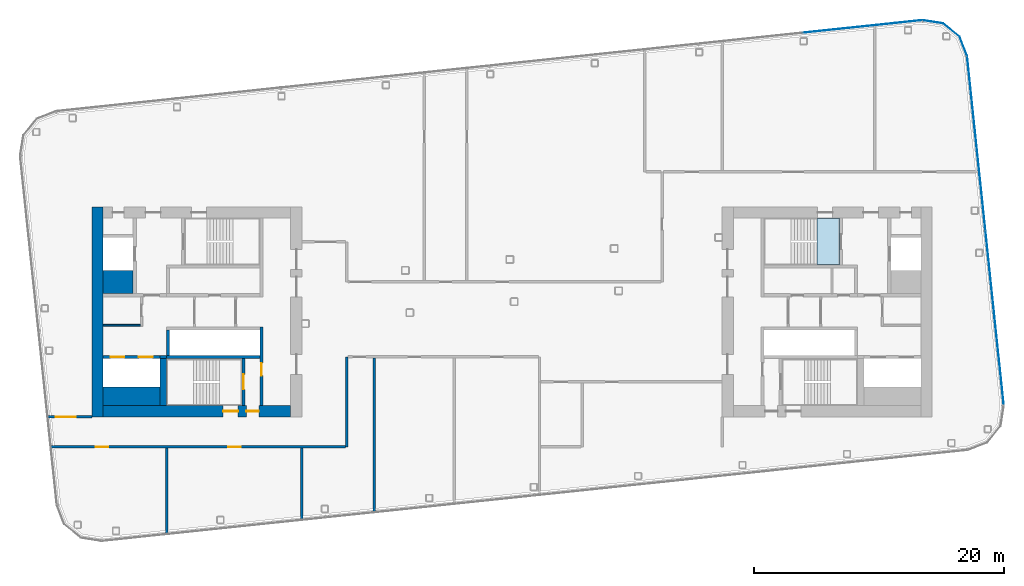
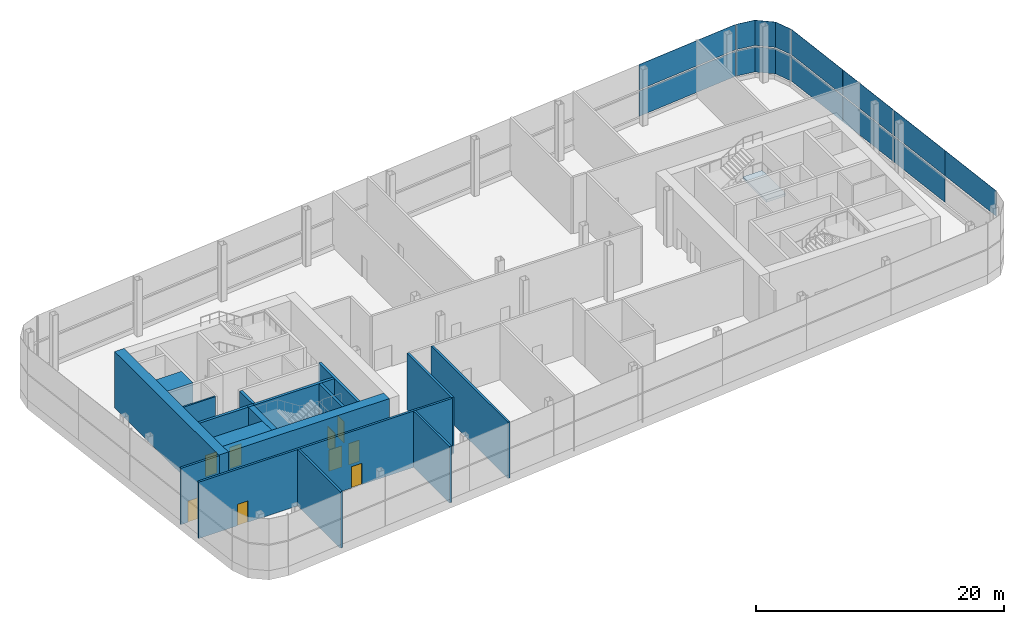
# One storey, part 14 of 35: 18 walls, 11 plates, 9 doors, 1 slab, 9 openings, 4 elements without a shape of their own.
"""IFC4 building model written with IfcOpenShell, lengths in metres."""

from ifc_helpers import new_model, si_unit, direction, frame, frame_2d, origin, origin_2d, place, context, subcontext, project, spatial, polyline, rectangle, outline, extrude, material, layer, layer_set, type_object, element, fill, aggregate, save


model = new_model("IFC4")

# Units and contexts
model_context = context("Model", 3, precision=1e-05, world=origin(), true_north=direction((0.0, 1.0)))
body_context = subcontext(model_context, "Body", "Model", "MODEL_VIEW")
ifc_project = project(units=[si_unit("LENGTHUNIT", "METRE"), si_unit("AREAUNIT", "SQUARE_METRE"), si_unit("VOLUMEUNIT", "CUBIC_METRE"), si_unit("PLANEANGLEUNIT", "RADIAN"), si_unit("MASSUNIT", "GRAM", prefix="KILO")], contexts=[model_context])

# Site, building, storey
site_placement = place(None, origin())
site = spatial("IfcSite", under=ifc_project, at=site_placement, CompositionType="ELEMENT")
building_placement = place(site_placement, origin())
building = spatial("IfcBuilding", under=site, at=building_placement, Name="Hakoniwa Tower and Hamabe Station Hall", CompositionType="ELEMENT")
storey_placement = place(building_placement, frame((0.0, 0.0, 264.60009765625)))
storey = spatial("IfcBuildingStorey", under=building, at=storey_placement, Name="L75", CompositionType="ELEMENT", Elevation=264.60009765625)

# Stair, slab
ifc_material_1 = material(Name="Concrete C40", Category="concrete")
stair_type = type_object("IfcStairType", Name="ESCAPE STAIR 1800", PredefinedType="HALF_TURN_STAIR", material=ifc_material_1)
stair_placement = place(storey_placement, origin())
stair = element("IfcStair", 1, at=stair_placement, inside=storey, type_object=stair_type, Name="Escape stair ST-3 L75", PredefinedType="HALF_TURN_STAIR")
ifc_material_2 = material(Name="Concrete C40", Category="concrete")
ifc_layer_1 = layer(ifc_material_2, 0.25)
ifc_layer_set_1 = layer_set([ifc_layer_1], Name="CORE STAIR LANDING 250")
slab_type = type_object("IfcSlabType", Name="CORE STAIR LANDING 250", PredefinedType="LANDING", material=ifc_layer_set_1)
slab_placement = place(storey_placement, frame((0.0, 0.0, 2.75)))
slab = element("IfcSlab", 2, at=slab_placement, type_object=slab_type, Name="ST-3 landing 2", PredefinedType="LANDING", context=body_context, shape_type="SweptSolid", body=[
    extrude(outline(polyline([(26.199951171875, 3.75), (24.39990234375, 3.75), (24.39990234375, 7.5), (26.199951171875, 7.5), (26.199951171875, 3.75)])), origin(), (0.0, 0.0, 1.0), 0.25),
])
aggregate(stair, [slab])

# Curtain wall, plates
ifc_material_3 = material(Name="Dark low-e laminated glass", Category="glass")
ifc_layer_2 = layer(ifc_material_3, 0.199951171875)
ifc_layer_set_2 = layer_set([ifc_layer_2], Name="CW-1 UNITISED GUEST")
curtain_wall_type = type_object("IfcCurtainWallType", Name="CW-1 UNITISED GUEST", PredefinedType="NOTDEFINED", material=ifc_layer_set_2)
curtain_wall_1_placement = place(storey_placement, origin())
curtain_wall_1 = element("IfcCurtainWall", 3, at=curtain_wall_1_placement, inside=storey, type_object=curtain_wall_type, Name="CW-1 curtain wall", PredefinedType="NOTDEFINED")
ifc_material_4 = material(Name="Dark low-e laminated glass", Category="glass")
ifc_layer_3 = layer(ifc_material_4, 0.028076171875)
ifc_layer_set_3 = layer_set([ifc_layer_3], Name="CW-1 GLASS UNIT")
plate_type = type_object("IfcPlateType", Name="CW-1 GLASS UNIT", PredefinedType="CURTAIN_PANEL", material=ifc_layer_set_3)
plate_1_placement = place(storey_placement, frame((38.97802734375, -3.990966796875, 2.9599609375), z_axis=(0.0, 0.0, 1.0), x_axis=(-0.104528468631, 0.994521894805, 0.0)))
plate_1 = element("IfcPlate", 4, at=plate_1_placement, type_object=plate_type, Name="CW-1 glass unit", PredefinedType="CURTAIN_PANEL", context=body_context, shape_type="SweptSolid", body=[
    extrude(rectangle(XDim=6.999755859375, YDim=0.028076171875, at=origin_2d()), origin(), (0.0, 0.0, 1.0), 2.489990234375),
])
plate_2_placement = place(storey_placement, frame((38.244140625, 2.990478515625, 0.35009765625), z_axis=(0.0, 0.0, 1.0), x_axis=(-0.104528468631, 0.994521894805, 0.0)))
plate_2 = element("IfcPlate", 5, at=plate_2_placement, type_object=plate_type, Name="CW-1 glass unit", PredefinedType="CURTAIN_PANEL", context=body_context, shape_type="SweptSolid", body=[
    extrude(rectangle(XDim=6.999755859375, YDim=0.028076171875, at=origin_2d()), origin(), (0.0, 0.0, 1.0), 2.489990234375),
])
plate_3_placement = place(storey_placement, frame((38.244140625, 2.990478515625, 2.9599609375), z_axis=(0.0, 0.0, 1.0), x_axis=(-0.104528468631, 0.994521894805, 0.0)))
plate_3 = element("IfcPlate", 6, at=plate_3_placement, type_object=plate_type, Name="CW-1 glass unit", PredefinedType="CURTAIN_PANEL", context=body_context, shape_type="SweptSolid", body=[
    extrude(rectangle(XDim=6.999755859375, YDim=0.028076171875, at=origin_2d()), origin(), (0.0, 0.0, 1.0), 2.489990234375),
])
plate_4_placement = place(storey_placement, frame((37.510498046875, 9.9716796875, 0.35009765625), z_axis=(0.0, 0.0, 1.0), x_axis=(-0.104528468631, 0.994521894805, 0.0)))
plate_4 = element("IfcPlate", 7, at=plate_4_placement, type_object=plate_type, Name="CW-1 glass unit", PredefinedType="CURTAIN_PANEL", context=body_context, shape_type="SweptSolid", body=[
    extrude(rectangle(XDim=6.999755859375, YDim=0.028076171875, at=origin_2d()), origin(), (0.0, 0.0, 1.0), 2.489990234375),
])
plate_5_placement = place(storey_placement, frame((37.510498046875, 9.9716796875, 2.9599609375), z_axis=(0.0, 0.0, 1.0), x_axis=(-0.104528468631, 0.994521894805, 0.0)))
plate_5 = element("IfcPlate", 8, at=plate_5_placement, type_object=plate_type, Name="CW-1 glass unit", PredefinedType="CURTAIN_PANEL", context=body_context, shape_type="SweptSolid", body=[
    extrude(rectangle(XDim=6.999755859375, YDim=0.028076171875, at=origin_2d()), origin(), (0.0, 0.0, 1.0), 2.489990234375),
])
plate_6_placement = place(storey_placement, frame((36.776611328125, 16.953125, 0.35009765625), z_axis=(0.0, 0.0, 1.0), x_axis=(-0.104528468631, 0.994521894805, 0.0)))
plate_6 = element("IfcPlate", 9, at=plate_6_placement, type_object=plate_type, Name="CW-1 glass unit", PredefinedType="CURTAIN_PANEL", context=body_context, shape_type="SweptSolid", body=[
    extrude(rectangle(XDim=6.999755859375, YDim=0.028076171875, at=origin_2d()), origin(), (0.0, 0.0, 1.0), 2.489990234375),
])
plate_7_placement = place(storey_placement, frame((36.776611328125, 16.953125, 2.9599609375), z_axis=(0.0, 0.0, 1.0), x_axis=(-0.104528468631, 0.994521894805, 0.0)))
plate_7 = element("IfcPlate", 10, at=plate_7_placement, type_object=plate_type, Name="CW-1 glass unit", PredefinedType="CURTAIN_PANEL", context=body_context, shape_type="SweptSolid", body=[
    extrude(rectangle(XDim=6.999755859375, YDim=0.028076171875, at=origin_2d()), origin(), (0.0, 0.0, 1.0), 2.489990234375),
])
aggregate(curtain_wall_1, [plate_1, plate_2, plate_3, plate_4, plate_5, plate_6, plate_7])

curtain_wall_2_placement = place(storey_placement, origin())
curtain_wall_2 = element("IfcCurtainWall", 11, at=curtain_wall_2_placement, inside=storey, type_object=curtain_wall_type, Name="CW-1 curtain wall", PredefinedType="NOTDEFINED")
plate_8_placement = place(storey_placement, frame((0.0, 0.0, 0.349853515625)))
plate_8 = element("IfcPlate", 12, at=plate_8_placement, type_object=plate_type, Name="CW-1 curved corner unit", PredefinedType="CURTAIN_PANEL", context=body_context, shape_type="SweptSolid", body=[
    extrude(outline(polyline([(36.409423828125, 20.482421875), (35.82421875, 22.0068359375), (34.492431640625, 23.085205078125), (32.8798828125, 23.340576171875), (32.87548828125, 23.31298828125), (34.480712890625, 23.058837890625), (35.80078125, 21.98974609375), (36.38330078125, 20.472412109375), (36.409423828125, 20.482421875)])), origin(), (0.0, 0.0, 1.0), 2.489990234375),
])
plate_9_placement = place(storey_placement, frame((0.0, 0.0, 2.9599609375)))
plate_9 = element("IfcPlate", 13, at=plate_9_placement, type_object=plate_type, Name="CW-1 curved corner unit", PredefinedType="CURTAIN_PANEL", context=body_context, shape_type="SweptSolid", body=[
    extrude(outline(polyline([(36.409423828125, 20.482421875), (35.82421875, 22.0068359375), (34.492431640625, 23.085205078125), (32.8798828125, 23.340576171875), (32.87548828125, 23.31298828125), (34.480712890625, 23.058837890625), (35.80078125, 21.98974609375), (36.38330078125, 20.472412109375), (36.409423828125, 20.482421875)])), origin(), (0.0, 0.0, 1.0), 2.489990234375),
])
aggregate(curtain_wall_2, [plate_8, plate_9])

curtain_wall_3_placement = place(storey_placement, origin())
curtain_wall_3 = element("IfcCurtainWall", 14, at=curtain_wall_3_placement, inside=storey, type_object=curtain_wall_type, Name="CW-1 curtain wall", PredefinedType="NOTDEFINED")
plate_10_placement = place(storey_placement, frame((28.04833984375, 22.829345703125, 0.35009765625), z_axis=(0.0, 0.0, 1.0), x_axis=(-0.994521895272, -0.104528464188, 0.0)))
plate_10 = element("IfcPlate", 15, at=plate_10_placement, type_object=plate_type, Name="CW-1 glass unit", PredefinedType="CURTAIN_PANEL", context=body_context, shape_type="SweptSolid", body=[
    extrude(rectangle(XDim=9.619384765625, YDim=0.028076171875, at=origin_2d()), origin(), (0.0, 0.0, 1.0), 2.489990234375),
])
plate_11_placement = place(storey_placement, frame((28.04833984375, 22.829345703125, 2.9599609375), z_axis=(0.0, 0.0, 1.0), x_axis=(-0.994521895272, -0.104528464188, 0.0)))
plate_11 = element("IfcPlate", 16, at=plate_11_placement, type_object=plate_type, Name="CW-1 glass unit", PredefinedType="CURTAIN_PANEL", context=body_context, shape_type="SweptSolid", body=[
    extrude(rectangle(XDim=9.619384765625, YDim=0.028076171875, at=origin_2d()), origin(), (0.0, 0.0, 1.0), 2.489990234375),
])
aggregate(curtain_wall_3, [plate_10, plate_11])

# Walls
ifc_material_5 = material(Name="Gypsum board partition")
ifc_layer_4 = layer(ifc_material_5, 0.14990234375)
ifc_layer_set_4 = layer_set([ifc_layer_4], Name="CORE PARTITION 150 EI 60")
wall_type_1 = type_object("IfcWallType", Name="CORE PARTITION 150 EI 60", PredefinedType="PARTITIONING", material=ifc_layer_set_4)
wall_1_placement = place(storey_placement, frame((-32.699951171875, -1.074951171875, 0.0), z_axis=(0.0, 0.0, 1.0), x_axis=(1.0, 0.0, 0.0)))
element("IfcWall", 17, at=wall_1_placement, inside=storey, type_object=wall_type_1, Name="Core partition PS west", PredefinedType="PARTITIONING", context=body_context, shape_type="SweptSolid", body=[
    extrude(rectangle(XDim=3.0, YDim=0.14990234375, at=frame_2d((1.5, 0.0))), origin(), (0.0, 0.0, 1.0), 5.5498046875),
])
ifc_material_6 = material(Name="Concrete C60", Category="concrete")
ifc_layer_5 = layer(ifc_material_6, 0.89990234375)
ifc_layer_set_5 = layer_set([ifc_layer_5], Name="CORE WALL 900 C60")
wall_type_2 = type_object("IfcWallType", Name="CORE WALL 900 C60", PredefinedType="SHEAR", material=ifc_layer_set_5)
wall_2_placement = place(storey_placement, frame((-33.14990234375, -8.39990234375, 0.0), z_axis=(0.0, 0.0, 1.0), x_axis=(0.0, 1.0, 0.0)))
element("IfcWall", 18, at=wall_2_placement, inside=storey, type_object=wall_type_2, Name="Core wall OUTER west", PredefinedType="SHEAR", context=body_context, shape_type="SweptSolid", body=[
    extrude(rectangle(XDim=16.7998046875, YDim=0.89990234375, at=frame_2d((8.39990234375, 0.0))), origin(), (0.0, 0.0, 1.0), 5.5498046875),
])

# Wall, openings, doors
wall_3_placement = place(storey_placement, frame((-32.699951171875, -7.949951171875, 0.0), z_axis=(0.0, 0.0, 1.0), x_axis=(1.0, 0.0, 0.0)))
wall_3 = element("IfcWall", 19, at=wall_3_placement, inside=storey, type_object=wall_type_2, Name="Core wall SOUTH west", PredefinedType="SHEAR", context=body_context, shape_type="SweptSolid", body=[
    extrude(rectangle(XDim=15.0, YDim=0.89990234375, at=frame_2d((7.5, 0.0))), origin(), (0.0, 0.0, 1.0), 5.5498046875),
])
opening_1_placement = place(wall_3_placement, frame((11.449951171875, 0.0, 0.0)))
opening_1 = element("IfcOpeningElement", 20, at=opening_1_placement, cuts=wall_3, Name="Opening CD-W-FS3-10", PredefinedType="OPENING", context=body_context, shape_type="SweptSolid", body=[
    extrude(rectangle(XDim=1.0, YDim=2.10009765625, at=frame_2d((0.5, 1.050048828125))), frame((0.0, 0.4599609375, 0.0), z_axis=(0.0, -1.0, 0.0), x_axis=(1.0, 0.0, 0.0)), (0.0, 0.0, 1.0), 0.919921875),
])
opening_2_placement = place(wall_3_placement, frame((9.60009765625, 0.0, 0.0)))
opening_2 = element("IfcOpeningElement", 21, at=opening_2_placement, cuts=wall_3, Name="Opening CD-W-FS5-12", PredefinedType="OPENING", context=body_context, shape_type="SweptSolid", body=[
    extrude(rectangle(XDim=1.199951171875, YDim=2.10009765625, at=frame_2d((0.60009765625, 1.050048828125))), frame((0.0, 0.4599609375, 0.0), z_axis=(0.0, -1.0, 0.0), x_axis=(1.0, 0.0, 0.0)), (0.0, 0.0, 1.0), 0.919921875),
])
ifc_material_7 = material(Name="Steel fire door", Category="steel")
door_type_1 = type_object("IfcDoorType", Name="CORE DOOR 1000 FD60", OperationType="NOTDEFINED", PredefinedType="DOOR", material=ifc_material_7)
door_1_placement = place(opening_1_placement, origin())
door_1 = element("IfcDoor", 22, at=door_1_placement, inside=storey, type_object=door_type_1, Name="Stair vestibule door", OperationType="SINGLE_SWING_RIGHT", OverallHeight=2.10009765625, OverallWidth=1.0, PredefinedType="DOOR", context=body_context, shape_type="SweptSolid", body=[
    extrude(rectangle(XDim=1.0, YDim=2.10009765625, at=frame_2d((0.5, 1.050048828125))), frame((0.0, 0.02490234375, 0.0), z_axis=(0.0, -1.0, 0.0), x_axis=(1.0, 0.0, 0.0)), (0.0, 0.0, 1.0), 0.050048828125),
])
fill(opening_1, door_1)
ifc_material_8 = material(Name="Steel fire door", Category="steel")
door_type_2 = type_object("IfcDoorType", Name="CORE DOOR 1200 FD60", OperationType="DOUBLE_DOOR_SINGLE_SWING", PredefinedType="DOOR", material=ifc_material_8)
door_2_placement = place(opening_2_placement, origin())
door_2 = element("IfcDoor", 23, at=door_2_placement, inside=storey, type_object=door_type_2, Name="Stair vestibule door to stair B", OperationType="DOUBLE_DOOR_SINGLE_SWING", OverallHeight=2.10009765625, OverallWidth=1.199951171875, PredefinedType="DOOR", context=body_context, shape_type="SweptSolid", body=[
    extrude(rectangle(XDim=1.199951171875, YDim=2.10009765625, at=frame_2d((0.60009765625, 1.050048828125))), frame((0.0, 0.02490234375, 0.0), z_axis=(0.0, -1.0, 0.0), x_axis=(1.0, 0.0, 0.0)), (0.0, 0.0, 1.0), 0.050048828125),
])
fill(opening_2, door_2)

# Walls
ifc_material_9 = material(Name="Concrete C60", Category="concrete")
ifc_layer_6 = layer(ifc_material_9, 1.5)
ifc_layer_set_6 = layer_set([ifc_layer_6], Name="CORE WEB WALL 1500 C60")
wall_type_3 = type_object("IfcWallType", Name="CORE WEB WALL 1500 C60", PredefinedType="SHEAR", material=ifc_layer_set_6)
wall_4_placement = place(storey_placement, frame((-32.699951171875, -6.75, 0.0), z_axis=(0.0, 0.0, 1.0), x_axis=(1.0, 0.0, 0.0)))
element("IfcWall", 24, at=wall_4_placement, inside=storey, type_object=wall_type_3, Name="Core wall SER west", PredefinedType="SHEAR", context=body_context, shape_type="SweptSolid", body=[
    extrude(rectangle(XDim=4.550048828125, YDim=1.5, at=frame_2d((2.27490234375, 0.0))), origin(), (0.0, 0.0, 1.0), 5.5498046875),
])
ifc_material_10 = material(Name="Concrete C60", Category="concrete")
ifc_layer_7 = layer(ifc_material_10, 1.85009765625)
ifc_layer_set_7 = layer_set([ifc_layer_7], Name="CORE WEB WALL 1850 C60")
wall_type_4 = type_object("IfcWallType", Name="CORE WEB WALL 1850 C60", PredefinedType="SHEAR", material=ifc_layer_set_7)
wall_5_placement = place(storey_placement, frame((-32.699951171875, 2.375, 0.0), z_axis=(0.0, 0.0, 1.0), x_axis=(1.0, 0.0, 0.0)))
element("IfcWall", 25, at=wall_5_placement, inside=storey, type_object=wall_type_4, Name="Core wall CA west", PredefinedType="SHEAR", context=body_context, shape_type="SweptSolid", body=[
    extrude(rectangle(XDim=2.39990234375, YDim=1.85009765625, at=frame_2d((1.199951171875, 0.0))), origin(), (0.0, 0.0, 1.0), 5.5498046875),
])

# Wall, opening, door
ifc_material_11 = material(Name="Concrete C60", Category="concrete")
ifc_layer_8 = layer(ifc_material_11, 0.25)
ifc_layer_set_8 = layer_set([ifc_layer_8], Name="CORE WEB WALL 250 C60")
wall_type_5 = type_object("IfcWallType", Name="CORE WEB WALL 250 C60", PredefinedType="SHEAR", material=ifc_layer_set_8)
wall_6_placement = place(storey_placement, frame((-20.02490234375, -7.5, 0.0), z_axis=(0.0, 0.0, 1.0), x_axis=(0.0, 1.0, 0.0)))
wall_6 = element("IfcWall", 26, at=wall_6_placement, inside=storey, type_object=wall_type_5, Name="Core wall W1S west", PredefinedType="SHEAR", context=body_context, shape_type="SweptSolid", body=[
    extrude(rectangle(XDim=6.300048828125, YDim=0.25, at=frame_2d((3.14990234375, 0.0))), origin(), (0.0, 0.0, 1.0), 5.5498046875),
])
opening_3_placement = place(wall_6_placement, frame((2.39990234375, 0.0, 0.0)))
opening_3 = element("IfcOpeningElement", 27, at=opening_3_placement, cuts=wall_6, Name="Opening CD-W-VS-10", PredefinedType="OPENING", context=body_context, shape_type="SweptSolid", body=[
    extrude(rectangle(XDim=1.0, YDim=2.10009765625, at=frame_2d((0.5, 1.050048828125))), frame((0.0, 0.135009765625, 0.0), z_axis=(0.0, -1.0, 0.0), x_axis=(1.0, 0.0, 0.0)), (0.0, 0.0, 1.0), 0.27001953125),
])
door_3_placement = place(opening_3_placement, origin())
door_3 = element("IfcDoor", 28, at=door_3_placement, inside=storey, type_object=door_type_1, Name="Stair vestibule door", OperationType="SINGLE_SWING_LEFT", OverallHeight=2.10009765625, OverallWidth=1.0, PredefinedType="DOOR", context=body_context, shape_type="SweptSolid", body=[
    extrude(rectangle(XDim=1.0, YDim=2.10009765625, at=frame_2d((0.5, 1.050048828125))), frame((0.0, 0.02490234375, 0.0), z_axis=(0.0, -1.0, 0.0), x_axis=(1.0, 0.0, 0.0)), (0.0, 0.0, 1.0), 0.050048828125),
])
fill(opening_3, door_3)

# Walls
wall_7_placement = place(storey_placement, frame((-27.52490234375, -3.5, 0.0), z_axis=(0.0, 0.0, 1.0), x_axis=(0.0, 1.0, 0.0)))
element("IfcWall", 29, at=wall_7_placement, inside=storey, type_object=wall_type_5, Name="Core wall SE west", PredefinedType="SHEAR", context=body_context, shape_type="SweptSolid", body=[
    extrude(rectangle(XDim=2.050048828125, YDim=0.25, at=frame_2d((1.02490234375, 0.0))), origin(), (0.0, 0.0, 1.0), 5.5498046875),
])
wall_8_placement = place(storey_placement, frame((-27.64990234375, -3.625, 0.0), z_axis=(0.0, 0.0, 1.0), x_axis=(1.0, 0.0, 0.0)))
element("IfcWall", 30, at=wall_8_placement, inside=storey, type_object=wall_type_5, Name="Core wall SR west", PredefinedType="SHEAR", context=body_context, shape_type="SweptSolid", body=[
    extrude(rectangle(XDim=7.5, YDim=0.25, at=frame_2d((3.75, 0.0))), origin(), (0.0, 0.0, 1.0), 5.5498046875),
])

# Wall, opening, door
wall_9_placement = place(storey_placement, frame((-21.47509765625, -7.5, 0.0), z_axis=(0.0, 0.0, 1.0), x_axis=(0.0, 1.0, 0.0)))
wall_9 = element("IfcWall", 31, at=wall_9_placement, inside=storey, type_object=wall_type_5, Name="Core wall VE west", PredefinedType="SHEAR", context=body_context, shape_type="SweptSolid", body=[
    extrude(rectangle(XDim=3.75, YDim=0.25, at=frame_2d((1.875, 0.0))), origin(), (0.0, 0.0, 1.0), 5.5498046875),
])
opening_4_placement = place(wall_9_placement, frame((1.300048828125, 0.0, 0.0)))
opening_4 = element("IfcOpeningElement", 32, at=opening_4_placement, cuts=wall_9, Name="Opening CD-W-SS-12", PredefinedType="OPENING", context=body_context, shape_type="SweptSolid", body=[
    extrude(rectangle(XDim=1.199951171875, YDim=2.10009765625, at=frame_2d((0.60009765625, 1.050048828125))), frame((0.0, 0.135009765625, 0.0), z_axis=(0.0, -1.0, 0.0), x_axis=(1.0, 0.0, 0.0)), (0.0, 0.0, 1.0), 0.27001953125),
])
door_4_placement = place(opening_4_placement, origin())
door_4 = element("IfcDoor", 33, at=door_4_placement, inside=storey, type_object=door_type_2, Name="Escape stair door", OperationType="DOUBLE_DOOR_SINGLE_SWING", OverallHeight=2.10009765625, OverallWidth=1.199951171875, PredefinedType="DOOR", context=body_context, shape_type="SweptSolid", body=[
    extrude(rectangle(XDim=1.199951171875, YDim=2.10009765625, at=frame_2d((0.60009765625, 1.050048828125))), frame((0.0, 0.02490234375, 0.0), z_axis=(0.0, -1.0, 0.0), x_axis=(1.0, 0.0, 0.0)), (0.0, 0.0, 1.0), 0.050048828125),
])
fill(opening_4, door_4)

# Wall, openings, doors
wall_10_placement = place(storey_placement, frame((-32.699951171875, -3.625, 0.0), z_axis=(0.0, 0.0, 1.0), x_axis=(1.0, 0.0, 0.0)))
wall_10 = element("IfcWall", 34, at=wall_10_placement, inside=storey, type_object=wall_type_5, Name="Core wall SEF west", PredefinedType="SHEAR", context=body_context, shape_type="SweptSolid", body=[
    extrude(rectangle(XDim=4.550048828125, YDim=0.25, at=frame_2d((2.27490234375, 0.0))), origin(), (0.0, 0.0, 1.0), 5.5498046875),
])
opening_5_placement = place(wall_10_placement, frame((2.85009765625, 0.0, 0.0)))
opening_5 = element("IfcOpeningElement", 35, at=opening_5_placement, cuts=wall_10, Name="Opening LD-SV1", PredefinedType="OPENING", context=body_context, shape_type="SweptSolid", body=[
    extrude(rectangle(XDim=1.10009765625, YDim=2.10009765625, at=frame_2d((0.550048828125, 1.050048828125))), frame((0.0, 0.135009765625, 0.0), z_axis=(0.0, -1.0, 0.0), x_axis=(1.0, 0.0, 0.0)), (0.0, 0.0, 1.0), 0.27001953125),
])
opening_6_placement = place(wall_10_placement, frame((0.60009765625, 0.0, 0.0)))
opening_6 = element("IfcOpeningElement", 36, at=opening_6_placement, cuts=wall_10, Name="Opening LD-SV2", PredefinedType="OPENING", context=body_context, shape_type="SweptSolid", body=[
    extrude(rectangle(XDim=1.10009765625, YDim=2.10009765625, at=frame_2d((0.550048828125, 1.050048828125))), frame((0.0, 0.135009765625, 0.0), z_axis=(0.0, -1.0, 0.0), x_axis=(1.0, 0.0, 0.0)), (0.0, 0.0, 1.0), 0.27001953125),
])
ifc_material_12 = material(Name="Stainless steel SUS304", Category="steel")
door_type_3 = type_object("IfcDoorType", Name="LIFT LANDING DOOR 1100 FD60", OperationType="DOUBLE_DOOR_SLIDING", PredefinedType="DOOR", material=ifc_material_12)
door_5_placement = place(opening_5_placement, origin())
door_5 = element("IfcDoor", 37, at=door_5_placement, inside=storey, type_object=door_type_3, Name="Lift landing door SV1 L75", OperationType="DOUBLE_DOOR_SLIDING", OverallHeight=2.10009765625, OverallWidth=1.10009765625, PredefinedType="DOOR", context=body_context, shape_type="SweptSolid", body=[
    extrude(rectangle(XDim=1.10009765625, YDim=2.10009765625, at=frame_2d((0.550048828125, 1.050048828125))), frame((0.0, 0.02490234375, 0.0), z_axis=(0.0, -1.0, 0.0), x_axis=(1.0, 0.0, 0.0)), (0.0, 0.0, 1.0), 0.050048828125),
])
fill(opening_5, door_5)
door_6_placement = place(opening_6_placement, origin())
door_6 = element("IfcDoor", 38, at=door_6_placement, inside=storey, type_object=door_type_3, Name="Lift landing door SV2 L75", OperationType="DOUBLE_DOOR_SLIDING", OverallHeight=2.10009765625, OverallWidth=1.10009765625, PredefinedType="DOOR", context=body_context, shape_type="SweptSolid", body=[
    extrude(rectangle(XDim=1.10009765625, YDim=2.10009765625, at=frame_2d((0.550048828125, 1.050048828125))), frame((0.0, 0.02490234375, 0.0), z_axis=(0.0, -1.0, 0.0), x_axis=(1.0, 0.0, 0.0)), (0.0, 0.0, 1.0), 0.050048828125),
])
fill(opening_6, door_6)

# Walls
wall_11_placement = place(storey_placement, frame((-28.14990234375, -3.625, 0.0), z_axis=(0.0, 0.0, 1.0), x_axis=(1.0, 0.0, 0.0)))
element("IfcWall", 39, at=wall_11_placement, inside=storey, type_object=wall_type_5, Name="Core wall SRK west", PredefinedType="SHEAR", context=body_context, shape_type="SweptSolid", body=[
    extrude(rectangle(XDim=0.5, YDim=0.25, at=frame_2d((0.25, 0.0))), origin(), (0.0, 0.0, 1.0), 5.5498046875),
])
ifc_material_13 = material(Name="Concrete C60", Category="concrete")
ifc_layer_9 = layer(ifc_material_13, 0.5)
ifc_layer_set_9 = layer_set([ifc_layer_9], Name="CORE WEB WALL 500 C60")
wall_type_6 = type_object("IfcWallType", Name="CORE WEB WALL 500 C60", PredefinedType="SHEAR", material=ifc_layer_set_9)
wall_12_placement = place(storey_placement, frame((-27.89990234375, -7.5, 0.0), z_axis=(0.0, 0.0, 1.0), x_axis=(0.0, 1.0, 0.0)))
element("IfcWall", 40, at=wall_12_placement, inside=storey, type_object=wall_type_6, Name="Core wall SSE west", PredefinedType="SHEAR", context=body_context, shape_type="SweptSolid", body=[
    extrude(rectangle(XDim=3.75, YDim=0.5, at=frame_2d((1.875, 0.0))), origin(), (0.0, 0.0, 1.0), 5.5498046875),
])

# Wall, openings, doors
ifc_material_14 = material(Name="Fire-rated gypsum board partition", Category="gypsum")
ifc_layer_10 = layer(ifc_material_14, 0.199951171875)
ifc_layer_set_10 = layer_set([ifc_layer_10], Name="Corridor Wall 200")
wall_type_7 = type_object("IfcWallType", Name="Corridor Wall 200", PredefinedType="PARTITIONING", material=ifc_layer_set_10)
wall_13_placement = place(storey_placement, frame((-36.912109375, -10.800048828125, 0.0), z_axis=(0.0, 0.0, 1.0), x_axis=(1.0, 0.0, 0.0)))
wall_13 = element("IfcWall", 41, at=wall_13_placement, inside=storey, type_object=wall_type_7, Name="GW-L75-001", PredefinedType="PARTITIONING", context=body_context, shape_type="SweptSolid", body=[
    extrude(rectangle(XDim=23.612060546875, YDim=0.199951171875, at=frame_2d((11.80615234375, 0.0))), origin(), (0.0, 0.0, 1.0), 5.5498046875),
])
opening_7_placement = place(wall_13_placement, frame((3.612060546875, 0.0, 0.0)))
opening_7 = element("IfcOpeningElement", 42, at=opening_7_placement, cuts=wall_13, Name="Opening GD-SL75-01", PredefinedType="OPENING", context=body_context, shape_type="SweptSolid", body=[
    extrude(rectangle(XDim=1.0, YDim=2.10009765625, at=frame_2d((0.5, 1.050048828125))), frame((0.0, 0.10986328125, 0.0), z_axis=(0.0, -1.0, 0.0), x_axis=(1.0, 0.0, 0.0)), (0.0, 0.0, 1.0), 0.219970703125),
])
opening_8_placement = place(wall_13_placement, frame((14.2119140625, 0.0, 0.0)))
opening_8 = element("IfcOpeningElement", 43, at=opening_8_placement, cuts=wall_13, Name="Opening GD-SL75-02", PredefinedType="OPENING", context=body_context, shape_type="SweptSolid", body=[
    extrude(rectangle(XDim=1.0, YDim=2.10009765625, at=frame_2d((0.5, 1.050048828125))), frame((0.0, 0.10986328125, 0.0), z_axis=(0.0, -1.0, 0.0), x_axis=(1.0, 0.0, 0.0)), (0.0, 0.0, 1.0), 0.219970703125),
])
ifc_material_15 = material(Name="Timber door leaf", Category="wood")
door_type_4 = type_object("IfcDoorType", Name="Guest Entrance Door 1000", OperationType="SINGLE_SWING_LEFT", PredefinedType="DOOR", material=ifc_material_15)
door_7_placement = place(opening_7_placement, origin())
door_7 = element("IfcDoor", 44, at=door_7_placement, inside=storey, type_object=door_type_4, Name="Door GD-SL75-01", OperationType="SINGLE_SWING_LEFT", OverallHeight=2.10009765625, OverallWidth=1.0, PredefinedType="DOOR", context=body_context, shape_type="SweptSolid", body=[
    extrude(rectangle(XDim=1.0, YDim=2.10009765625, at=frame_2d((0.5, 1.050048828125))), frame((0.0, 0.02490234375, 0.0), z_axis=(0.0, -1.0, 0.0), x_axis=(1.0, 0.0, 0.0)), (0.0, 0.0, 1.0), 0.050048828125),
])
fill(opening_7, door_7)
door_8_placement = place(opening_8_placement, origin())
door_8 = element("IfcDoor", 45, at=door_8_placement, inside=storey, type_object=door_type_4, Name="Door GD-SL75-02", OperationType="SINGLE_SWING_RIGHT", OverallHeight=2.10009765625, OverallWidth=1.0, PredefinedType="DOOR", context=body_context, shape_type="SweptSolid", body=[
    extrude(rectangle(XDim=1.0, YDim=2.10009765625, at=frame_2d((0.5, 1.050048828125))), frame((0.0, 0.02490234375, 0.0), z_axis=(0.0, -1.0, 0.0), x_axis=(1.0, 0.0, 0.0)), (0.0, 0.0, 1.0), 0.050048828125),
])
fill(opening_8, door_8)

# Wall, opening, door
wall_14_placement = place(storey_placement, frame((-37.164306640625, -8.39990234375, 0.0), z_axis=(0.0, 0.0, 1.0), x_axis=(1.0, 0.0, 0.0)))
wall_14 = element("IfcWall", 46, at=wall_14_placement, inside=storey, type_object=wall_type_7, Name="GW-L75-003", PredefinedType="PARTITIONING", context=body_context, shape_type="SweptSolid", body=[
    extrude(rectangle(XDim=3.564208984375, YDim=0.199951171875, at=frame_2d((1.7822265625, 0.0))), origin(), (0.0, 0.0, 1.0), 5.5498046875),
])
opening_9_placement = place(wall_14_placement, frame((0.651611328125, 0.0, 0.0)))
opening_9 = element("IfcOpeningElement", 47, at=opening_9_placement, cuts=wall_14, Name="Opening GD-SL75-03", PredefinedType="OPENING", context=body_context, shape_type="SweptSolid", body=[
    extrude(rectangle(XDim=1.60009765625, YDim=2.10009765625, at=frame_2d((0.800048828125, 1.050048828125))), frame((0.0, 0.10986328125, 0.0), z_axis=(0.0, -1.0, 0.0), x_axis=(1.0, 0.0, 0.0)), (0.0, 0.0, 1.0), 0.219970703125),
])
ifc_material_16 = material(Name="Timber door leaf", Category="wood")
door_type_5 = type_object("IfcDoorType", Name="Double Door 1600", OperationType="DOUBLE_DOOR_SINGLE_SWING", PredefinedType="DOOR", material=ifc_material_16)
door_9_placement = place(opening_9_placement, origin())
door_9 = element("IfcDoor", 48, at=door_9_placement, inside=storey, type_object=door_type_5, Name="Door GD-SL75-03", OperationType="DOUBLE_DOOR_SINGLE_SWING", OverallHeight=2.10009765625, OverallWidth=1.60009765625, PredefinedType="DOOR", context=body_context, shape_type="SweptSolid", body=[
    extrude(rectangle(XDim=1.60009765625, YDim=2.10009765625, at=frame_2d((0.800048828125, 1.050048828125))), frame((0.0, 0.02490234375, 0.0), z_axis=(0.0, -1.0, 0.0), x_axis=(1.0, 0.0, 0.0)), (0.0, 0.0, 1.0), 0.050048828125),
])
fill(opening_9, door_9)

# Walls
wall_15_placement = place(storey_placement, frame((-13.199951171875, -10.800048828125, 0.0), z_axis=(0.0, 0.0, 1.0), x_axis=(0.0, 1.0, 0.0)))
element("IfcWall", 49, at=wall_15_placement, inside=storey, type_object=wall_type_7, Name="GW-L75-012", PredefinedType="PARTITIONING", context=body_context, shape_type="SweptSolid", body=[
    extrude(rectangle(XDim=7.199951171875, YDim=0.199951171875, at=frame_2d((3.60009765625, 0.0))), origin(), (0.0, 0.0, 1.0), 5.5498046875),
])
ifc_material_17 = material(Name="Fire-rated gypsum board partition", Category="gypsum")
ifc_layer_11 = layer(ifc_material_17, 0.199951171875)
ifc_layer_set_11 = layer_set([ifc_layer_11], Name="Party Wall 200")
wall_type_8 = type_object("IfcWallType", Name="Party Wall 200", PredefinedType="PARTITIONING", material=ifc_layer_set_11)
wall_16_placement = place(storey_placement, frame((-27.60009765625, -17.796142578125, 0.0), z_axis=(0.0, 0.0, 1.0), x_axis=(0.0, 1.0, 0.0)))
element("IfcWall", 50, at=wall_16_placement, inside=storey, type_object=wall_type_8, Name="GW-L75-010", PredefinedType="PARTITIONING", context=body_context, shape_type="SweptSolid", body=[
    extrude(rectangle(XDim=6.896240234375, YDim=0.199951171875, at=frame_2d((3.4482421875, 0.0))), origin(), (0.0, 0.0, 1.0), 5.5498046875),
])
wall_17_placement = place(storey_placement, frame((-16.800048828125, -16.660888671875, 0.0), z_axis=(0.0, 0.0, 1.0), x_axis=(0.0, 1.0, 0.0)))
element("IfcWall", 51, at=wall_17_placement, inside=storey, type_object=wall_type_8, Name="GW-L75-011", PredefinedType="PARTITIONING", context=body_context, shape_type="SweptSolid", body=[
    extrude(rectangle(XDim=5.760986328125, YDim=0.199951171875, at=frame_2d((2.88037109375, 0.0))), origin(), (0.0, 0.0, 1.0), 5.5498046875),
])
wall_18_placement = place(storey_placement, frame((-11.0, -16.051513671875, 0.0), z_axis=(0.0, 0.0, 1.0), x_axis=(0.0, 1.0, 0.0)))
element("IfcWall", 52, at=wall_18_placement, inside=storey, type_object=wall_type_8, Name="GW-L75-014", PredefinedType="PARTITIONING", context=body_context, shape_type="SweptSolid", body=[
    extrude(rectangle(XDim=12.3515625, YDim=0.199951171875, at=frame_2d((6.17578125, 0.0))), origin(), (0.0, 0.0, 1.0), 5.5498046875),
])

save(model, "model.ifc")
